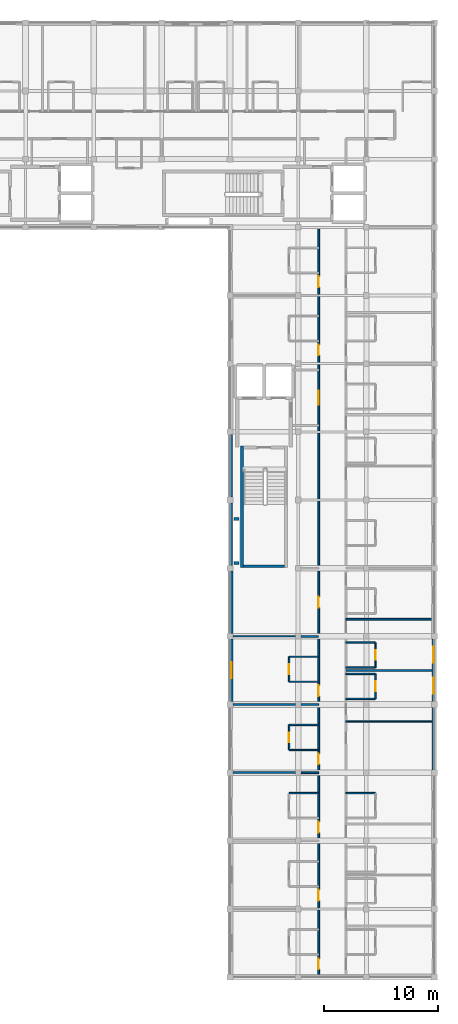
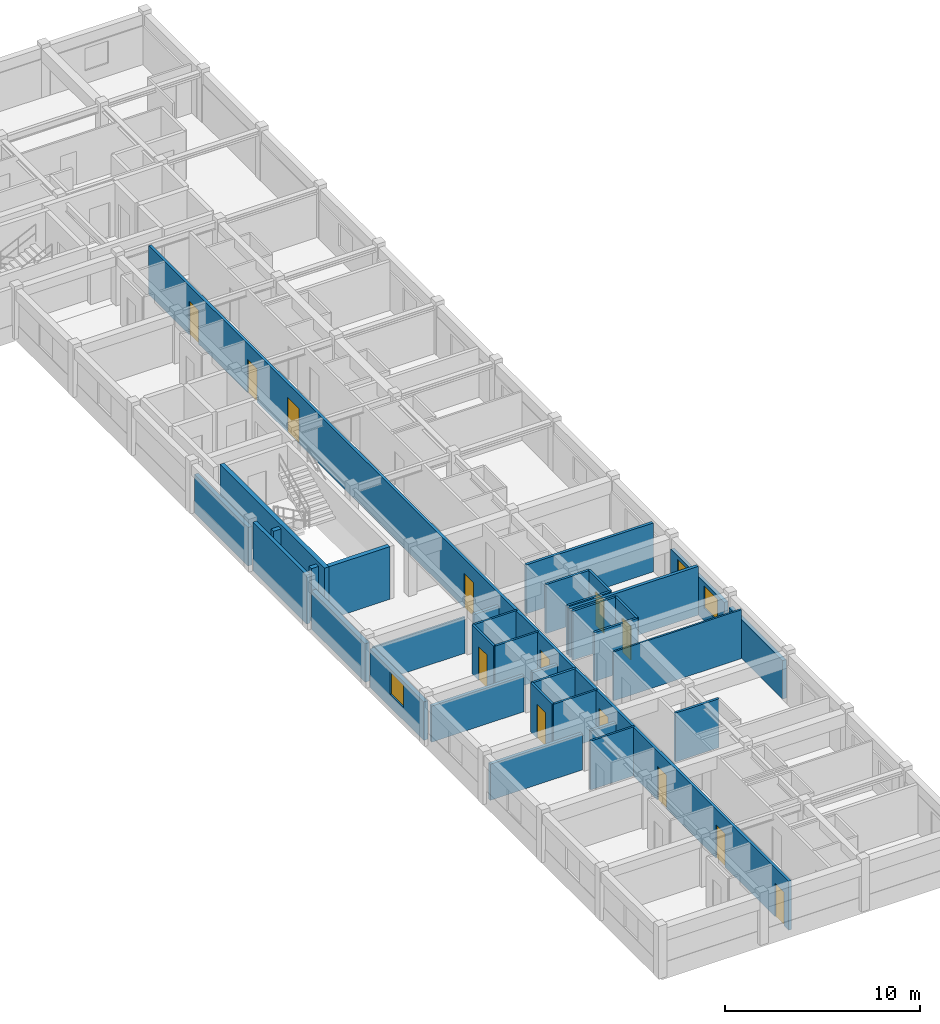
# One storey, part 4 of 15: 34 walls, 13 doors, 3 windows, 16 openings.
"""IFC4 building model written with IfcOpenShell, lengths in metres."""

from ifc_helpers import new_model, si_unit, direction, frame, frame_2d, origin, place, context, subcontext, project, spatial, rectangle, extrude, material, layer, layer_set, type_object, element, fill, save


model = new_model("IFC4")

# Units and contexts
model_context = context("Model", 3, precision=1e-05, world=origin(), true_north=direction((0.0, 1.0)))
body_context = subcontext(model_context, "Body", "Model", "MODEL_VIEW")
ifc_project = project(units=[si_unit("LENGTHUNIT", "METRE"), si_unit("AREAUNIT", "SQUARE_METRE"), si_unit("VOLUMEUNIT", "CUBIC_METRE"), si_unit("PLANEANGLEUNIT", "RADIAN"), si_unit("MASSUNIT", "GRAM", prefix="KILO"), si_unit("THERMODYNAMICTEMPERATUREUNIT", "KELVIN"), si_unit("POWERUNIT", "WATT")], contexts=[model_context])

# Site, building, storey
site_placement = place(None, origin())
site = spatial("IfcSite", under=ifc_project, at=site_placement, CompositionType="ELEMENT")
building_placement = place(site_placement, origin())
building = spatial("IfcBuilding", under=site, at=building_placement, Name="Phaisarnlok Congress Hotel", CompositionType="ELEMENT")
storey_placement = place(building_placement, frame((0.0, 0.0, 38.10009765625)))
storey = spatial("IfcBuildingStorey", under=building, at=storey_placement, Name="L09", CompositionType="ELEMENT", Elevation=38.10009765625)

# Wall, openings, windows
ifc_material_1 = material(Name="Concrete C40/50", Category="concrete")
ifc_layer_1 = layer(ifc_material_1, 0.2099609375, Name="Concrete C40/50")
ifc_layer_set_1 = layer_set([ifc_layer_1], Name="Concrete C40/50")
wall_type_1 = type_object("IfcWallType", Name="WL-EXT-210", PredefinedType="SOLIDWALL", material=ifc_layer_set_1)
wall_1_placement = place(storey_placement, frame((179.89501953125, 66.2548828125, 0.0), z_axis=(0.0, 0.0, 1.0), x_axis=(0.0, 1.0, 0.0)))
wall_1 = element("IfcWall", 1, at=wall_1_placement, inside=storey, type_object=wall_type_1, Name="Exterior wall EW-07 (L09)", PredefinedType="SOLIDWALL", context=body_context, shape_type="SweptSolid", body=[
    extrude(rectangle(XDim=5.490234375, YDim=0.2099609375, at=frame_2d((2.7451171875, 0.0))), origin(), (0.0, 0.0, 1.0), 2.409912109375),
])
opening_1_placement = place(wall_1_placement, frame((0.681884765625, 0.0, 0.800048828125)))
opening_1 = element("IfcOpeningElement", 2, at=opening_1_placement, cuts=wall_1, Name="Opening W-13", PredefinedType="OPENING", context=body_context, shape_type="SweptSolid", body=[
    extrude(rectangle(XDim=1.39990234375, YDim=1.39990234375, at=frame_2d((0.699951171875, 0.699951171875))), frame((0.0, 0.114990234375, 0.0), z_axis=(0.0, -1.0, 0.0), x_axis=(1.0, 0.0, 0.0)), (0.0, 0.0, 1.0), 0.22998046875),
])
opening_2_placement = place(wall_1_placement, frame((3.407958984375, 0.0, 0.800048828125)))
opening_2 = element("IfcOpeningElement", 3, at=opening_2_placement, cuts=wall_1, Name="Opening W-13", PredefinedType="OPENING", context=body_context, shape_type="SweptSolid", body=[
    extrude(rectangle(XDim=1.39990234375, YDim=1.39990234375, at=frame_2d((0.699951171875, 0.699951171875))), frame((0.0, 0.114990234375, 0.0), z_axis=(0.0, -1.0, 0.0), x_axis=(1.0, 0.0, 0.0)), (0.0, 0.0, 1.0), 0.22998046875),
])
ifc_material_2 = material(Name="Thermally Broken Aluminium & Low-E Double Glazing", Category="aluminium")
window_type = type_object("IfcWindowType", Name="WIN-POD-1400", PartitioningType="SINGLE_PANEL", PredefinedType="WINDOW", material=ifc_material_2)
window_1_placement = place(opening_1_placement, origin())
window_1 = element("IfcWindow", 4, at=window_1_placement, inside=storey, type_object=window_type, Name="Guestroom window W-13 (L09)", OverallHeight=1.39990234375, OverallWidth=1.39990234375, PartitioningType="SINGLE_PANEL", PredefinedType="WINDOW", context=body_context, shape_type="SweptSolid", body=[
    extrude(rectangle(XDim=1.39990234375, YDim=1.39990234375, at=frame_2d((0.699951171875, 0.699951171875))), frame((0.0, 0.030029296875, 0.0), z_axis=(0.0, -1.0, 0.0), x_axis=(1.0, 0.0, 0.0)), (0.0, 0.0, 1.0), 0.06005859375),
])
fill(opening_1, window_1)
window_2_placement = place(opening_2_placement, origin())
window_2 = element("IfcWindow", 5, at=window_2_placement, inside=storey, type_object=window_type, Name="Guestroom window W-13 (L09)", OverallHeight=1.39990234375, OverallWidth=1.39990234375, PartitioningType="SINGLE_PANEL", PredefinedType="WINDOW", context=body_context, shape_type="SweptSolid", body=[
    extrude(rectangle(XDim=1.39990234375, YDim=1.39990234375, at=frame_2d((0.699951171875, 0.699951171875))), frame((0.0, 0.030029296875, 0.0), z_axis=(0.0, -1.0, 0.0), x_axis=(1.0, 0.0, 0.0)), (0.0, 0.0, 1.0), 0.06005859375),
])
fill(opening_2, window_2)

# Walls
wall_2_placement = place(storey_placement, frame((162.10498046875, 83.7451171875, 0.0), z_axis=(0.0, 0.0, 1.0), x_axis=(0.0, -1.0, 0.0)))
element("IfcWall", 6, at=wall_2_placement, inside=storey, type_object=wall_type_1, Name="Exterior wall EW-07 (L09)", PredefinedType="SOLIDWALL", context=body_context, shape_type="SweptSolid", body=[
    extrude(rectangle(XDim=5.490234375, YDim=0.2099609375, at=frame_2d((2.7451171875, 0.0))), origin(), (0.0, 0.0, 1.0), 3.059814453125),
])
ifc_layer_2 = layer(ifc_material_1, 0.22998046875, Name="Concrete C40/50")
ifc_layer_set_2 = layer_set([ifc_layer_2], Name="Concrete C40/50")
wall_type_2 = type_object("IfcWallType", Name="WL-EXT-230", PredefinedType="SOLIDWALL", material=ifc_layer_set_2)
for number, where, z_axis, x_axis, name in (
    (7, (179.885009765625, 60.2548828125, 0.0), (0.0, 0.0, 1.0), (0.0, 1.0, 0.0), "Exterior wall EW-06 (L09)"),
    (8, (162.114990234375, 89.7451171875, 0.0), (0.0, 0.0, 1.0), (0.0, -1.0, 0.0), "Exterior wall EW-06 (L09)"),
):
    element("IfcWall", number, at=place(storey_placement, frame(where, z_axis=z_axis, x_axis=x_axis)), inside=storey, type_object=wall_type_2, Name=name, PredefinedType="SOLIDWALL", context=body_context, shape_type="SweptSolid", body=[
        extrude(rectangle(XDim=5.490234375, YDim=0.22998046875, at=frame_2d((2.7451171875, 0.0))), origin(), (0.0, 0.0, 1.0), 2.409912109375),
    ])

# Wall, opening, window
ifc_layer_3 = layer(ifc_material_1, 0.25, Name="Concrete C40/50")
ifc_layer_set_3 = layer_set([ifc_layer_3], Name="Concrete C40/50")
wall_type_3 = type_object("IfcWallType", Name="WL-EXT-250", PredefinedType="SOLIDWALL", material=ifc_layer_set_3)
wall_3_placement = place(storey_placement, frame((162.125, 71.7451171875, 0.0), z_axis=(0.0, 0.0, 1.0), x_axis=(0.0, -1.0, 0.0)))
wall_3 = element("IfcWall", 9, at=wall_3_placement, inside=storey, type_object=wall_type_3, Name="Exterior wall EW-05 (L09)", PredefinedType="SOLIDWALL", context=body_context, shape_type="SweptSolid", body=[
    extrude(rectangle(XDim=5.490234375, YDim=0.25, at=frame_2d((2.7451171875, 0.0))), origin(), (0.0, 0.0, 1.0), 2.409912109375),
])
opening_3_placement = place(wall_3_placement, frame((2.044921875, 0.0, 0.800048828125)))
opening_3 = element("IfcOpeningElement", 10, at=opening_3_placement, cuts=wall_3, Name="Opening W-13", PredefinedType="OPENING", context=body_context, shape_type="SweptSolid", body=[
    extrude(rectangle(XDim=1.39990234375, YDim=1.39990234375, at=frame_2d((0.699951171875, 0.699951171875))), frame((0.0, 0.135009765625, 0.0), z_axis=(0.0, -1.0, 0.0), x_axis=(1.0, 0.0, 0.0)), (0.0, 0.0, 1.0), 0.27001953125),
])
window_3_placement = place(opening_3_placement, origin())
window_3 = element("IfcWindow", 11, at=window_3_placement, inside=storey, type_object=window_type, Name="Guestroom window W-13 (L09)", OverallHeight=1.39990234375, OverallWidth=1.39990234375, PartitioningType="SINGLE_PANEL", PredefinedType="WINDOW", context=body_context, shape_type="SweptSolid", body=[
    extrude(rectangle(XDim=1.39990234375, YDim=1.39990234375, at=frame_2d((0.699951171875, 0.699951171875))), frame((0.0, 0.030029296875, 0.0), z_axis=(0.0, -1.0, 0.0), x_axis=(1.0, 0.0, 0.0)), (0.0, 0.0, 1.0), 0.06005859375),
])
fill(opening_3, window_3)

# Walls
ifc_layer_4 = layer(ifc_material_1, 0.27001953125, Name="Concrete C40/50")
ifc_layer_set_4 = layer_set([ifc_layer_4], Name="Concrete C40/50")
wall_type_4 = type_object("IfcWallType", Name="WL-EXT-270", PredefinedType="SOLIDWALL", material=ifc_layer_set_4)
wall_4_placement = place(storey_placement, frame((162.135009765625, 77.7451171875, 0.0), z_axis=(0.0, 0.0, 1.0), x_axis=(0.0, -1.0, 0.0)))
element("IfcWall", 12, at=wall_4_placement, inside=storey, type_object=wall_type_4, Name="Exterior wall EW-04 (L09)", PredefinedType="SOLIDWALL", context=body_context, shape_type="SweptSolid", body=[
    extrude(rectangle(XDim=5.490234375, YDim=0.27001953125, at=frame_2d((2.7451171875, 0.0))), origin(), (0.0, 0.0, 1.0), 2.409912109375),
])
ifc_material_3 = material(Name="Service Riser Shaftwall Partition", Category="gypsum")
ifc_layer_5 = layer(ifc_material_3, 0.10498046875, Name="Service Riser Shaftwall Partition")
ifc_layer_set_5 = layer_set([ifc_layer_5], Name="Service Riser Shaftwall Partition")
wall_type_5 = type_object("IfcWallType", Name="WL-INT-105", PredefinedType="PARTITIONING", material=ifc_layer_set_5)
wall_5_placement = place(storey_placement, frame((172.199951171875, 64.5, 0.0), z_axis=(0.0, 0.0, 1.0), x_axis=(1.0, 0.0, 0.0)))
element("IfcWall", 13, at=wall_5_placement, inside=storey, type_object=wall_type_5, Name="Interior partition wall IW-08 (L09)", PredefinedType="PARTITIONING", context=body_context, shape_type="SweptSolid", body=[
    extrude(rectangle(XDim=7.56494140625, YDim=0.10498046875, at=frame_2d((3.782470703125, 0.0))), origin(), (0.0, 0.0, 1.0), 3.059814453125),
])
wall_6_placement = place(storey_placement, frame((162.280029296875, 72.0, 0.0), z_axis=(0.0, 0.0, 1.0), x_axis=(1.0, 0.0, 0.0)))
element("IfcWall", 14, at=wall_6_placement, inside=storey, type_object=wall_type_5, Name="Interior partition wall IW-08 (L09)", PredefinedType="PARTITIONING", context=body_context, shape_type="SweptSolid", body=[
    extrude(rectangle(XDim=5.465087890625, YDim=0.10498046875, at=frame_2d((2.732421875, 0.0))), origin(), (0.0, 0.0, 1.0), 2.260009765625),
])

# Wall, opening, door
ifc_material_4 = material(Name="Lightweight Metal-Stud Gypsum Partition", Category="gypsum")
ifc_layer_6 = layer(ifc_material_4, 0.1201171875, Name="Lightweight Metal-Stud Gypsum Partition")
ifc_layer_set_6 = layer_set([ifc_layer_6], Name="Lightweight Metal-Stud Gypsum Partition")
wall_type_6 = type_object("IfcWallType", Name="WL-INT-120", PredefinedType="PARTITIONING", material=ifc_layer_set_6)
wall_7_placement = place(storey_placement, frame((167.199951171875, 62.0, 0.0), z_axis=(0.0, 0.0, 1.0), x_axis=(0.0, 1.0, 0.0)))
wall_7 = element("IfcWall", 15, at=wall_7_placement, inside=storey, type_object=wall_type_6, Name="Interior partition wall IW-07 (L09)", PredefinedType="PARTITIONING", context=body_context, shape_type="SweptSolid", body=[
    extrude(rectangle(XDim=2.199951171875, YDim=0.1201171875, at=frame_2d((1.10009765625, 0.0))), origin(), (0.0, 0.0, 1.0), 3.059814453125),
])
opening_4_placement = place(wall_7_placement, frame((0.675048828125, 0.0, 0.0)))
opening_4 = element("IfcOpeningElement", 16, at=opening_4_placement, cuts=wall_7, Name="Opening D-0547", PredefinedType="OPENING", context=body_context, shape_type="SweptSolid", body=[
    extrude(rectangle(XDim=0.85009765625, YDim=2.10009765625, at=frame_2d((0.425048828125, 1.050048828125))), frame((0.0, 0.070068359375, 0.0), z_axis=(0.0, -1.0, 0.0), x_axis=(1.0, 0.0, 0.0)), (0.0, 0.0, 1.0), 0.14013671875),
])
ifc_material_5 = material(Name="Moisture-Resistant Lacquered Timber", Category="wood")
door_type_1 = type_object("IfcDoorType", Name="DR-BATH-850", OperationType="NOTDEFINED", PredefinedType="DOOR", material=ifc_material_5)
door_1_placement = place(opening_4_placement, origin())
door_1 = element("IfcDoor", 17, at=door_1_placement, inside=storey, type_object=door_type_1, Name="Interior door D-0547 (L09)", OperationType="SINGLE_SWING_RIGHT", OverallHeight=2.10009765625, OverallWidth=0.85009765625, PredefinedType="DOOR", context=body_context, shape_type="SweptSolid", body=[
    extrude(rectangle(XDim=0.85009765625, YDim=2.10009765625, at=frame_2d((0.425048828125, 1.050048828125))), frame((0.0, 0.02490234375, 0.0), z_axis=(0.0, -1.0, 0.0), x_axis=(1.0, 0.0, 0.0)), (0.0, 0.0, 1.0), 0.050048828125),
])
fill(opening_4, door_1)

wall_8_placement = place(storey_placement, frame((174.800048828125, 69.25, 0.0), z_axis=(0.0, 0.0, 1.0), x_axis=(0.0, 1.0, 0.0)))
wall_8 = element("IfcWall", 18, at=wall_8_placement, inside=storey, type_object=wall_type_6, Name="Interior partition wall IW-07 (L09)", PredefinedType="PARTITIONING", context=body_context, shape_type="SweptSolid", body=[
    extrude(rectangle(XDim=2.199951171875, YDim=0.1201171875, at=frame_2d((1.10009765625, 0.0))), origin(), (0.0, 0.0, 1.0), 3.059814453125),
])
opening_5_placement = place(wall_8_placement, frame((0.675048828125, 0.0, 0.0)))
opening_5 = element("IfcOpeningElement", 19, at=opening_5_placement, cuts=wall_8, Name="Opening D-0526", PredefinedType="OPENING", context=body_context, shape_type="SweptSolid", body=[
    extrude(rectangle(XDim=0.85009765625, YDim=2.10009765625, at=frame_2d((0.425048828125, 1.050048828125))), frame((0.0, 0.070068359375, 0.0), z_axis=(0.0, -1.0, 0.0), x_axis=(1.0, 0.0, 0.0)), (0.0, 0.0, 1.0), 0.14013671875),
])
door_2_placement = place(opening_5_placement, origin())
door_2 = element("IfcDoor", 20, at=door_2_placement, inside=storey, type_object=door_type_1, Name="Interior door D-0526 (L09)", OperationType="SINGLE_SWING_LEFT", OverallHeight=2.10009765625, OverallWidth=0.85009765625, PredefinedType="DOOR", context=body_context, shape_type="SweptSolid", body=[
    extrude(rectangle(XDim=0.85009765625, YDim=2.10009765625, at=frame_2d((0.425048828125, 1.050048828125))), frame((0.0, 0.02490234375, 0.0), z_axis=(0.0, -1.0, 0.0), x_axis=(1.0, 0.0, 0.0)), (0.0, 0.0, 1.0), 0.050048828125),
])
fill(opening_5, door_2)

# Walls
for number, where, z_axis, x_axis, name in (
    (21, (167.199951171875, 58.199951171875, 0.0), (0.0, 0.0, 1.0), (1.0, 0.0, 0.0), "Interior partition wall IW-07 (L09)"),
    (22, (167.199951171875, 62.0, 0.0), (0.0, 0.0, 1.0), (1.0, 0.0, 0.0), "Interior partition wall IW-07 (L09)"),
    (23, (167.199951171875, 68.0, 0.0), (0.0, 0.0, 1.0), (1.0, 0.0, 0.0), "Interior partition wall IW-07 (L09)"),
    (24, (167.199951171875, 70.199951171875, 0.0), (0.0, 0.0, 1.0), (1.0, 0.0, 0.0), "Interior partition wall IW-07 (L09)"),
):
    element("IfcWall", number, at=place(storey_placement, frame(where, z_axis=z_axis, x_axis=x_axis)), inside=storey, type_object=wall_type_6, Name=name, PredefinedType="PARTITIONING", context=body_context, shape_type="SweptSolid", body=[
        extrude(rectangle(XDim=2.60009765625, YDim=0.1201171875, at=frame_2d((1.300048828125, 0.0))), origin(), (0.0, 0.0, 1.0), 3.059814453125),
    ])

# Wall, opening, door
ifc_material_6 = material(Name="Moisture-Resistant Gypsum Partition", Category="gypsum")
ifc_layer_7 = layer(ifc_material_6, 0.135009765625, Name="Moisture-Resistant Gypsum Partition")
ifc_layer_set_7 = layer_set([ifc_layer_7], Name="Moisture-Resistant Gypsum Partition")
wall_type_7 = type_object("IfcWallType", Name="WL-INT-135", PredefinedType="PARTITIONING", material=ifc_layer_set_7)
wall_9_placement = place(storey_placement, frame((167.199951171875, 68.0, 0.0), z_axis=(0.0, 0.0, 1.0), x_axis=(0.0, 1.0, 0.0)))
wall_9 = element("IfcWall", 25, at=wall_9_placement, inside=storey, type_object=wall_type_7, Name="Interior partition wall IW-06 (L09)", PredefinedType="PARTITIONING", context=body_context, shape_type="SweptSolid", body=[
    extrude(rectangle(XDim=2.199951171875, YDim=0.135009765625, at=frame_2d((1.10009765625, 0.0))), origin(), (0.0, 0.0, 1.0), 3.059814453125),
])
opening_6_placement = place(wall_9_placement, frame((0.675048828125, 0.0, 0.0)))
opening_6 = element("IfcOpeningElement", 26, at=opening_6_placement, cuts=wall_9, Name="Opening D-0549", PredefinedType="OPENING", context=body_context, shape_type="SweptSolid", body=[
    extrude(rectangle(XDim=0.85009765625, YDim=2.10009765625, at=frame_2d((0.425048828125, 1.050048828125))), frame((0.0, 0.07763671875, 0.0), z_axis=(0.0, -1.0, 0.0), x_axis=(1.0, 0.0, 0.0)), (0.0, 0.0, 1.0), 0.155029296875),
])
door_3_placement = place(opening_6_placement, origin())
door_3 = element("IfcDoor", 27, at=door_3_placement, inside=storey, type_object=door_type_1, Name="Interior door D-0549 (L09)", OperationType="SINGLE_SWING_RIGHT", OverallHeight=2.10009765625, OverallWidth=0.85009765625, PredefinedType="DOOR", context=body_context, shape_type="SweptSolid", body=[
    extrude(rectangle(XDim=0.85009765625, YDim=2.10009765625, at=frame_2d((0.425048828125, 1.050048828125))), frame((0.0, 0.02490234375, 0.0), z_axis=(0.0, -1.0, 0.0), x_axis=(1.0, 0.0, 0.0)), (0.0, 0.0, 1.0), 0.050048828125),
])
fill(opening_6, door_3)

wall_10_placement = place(storey_placement, frame((174.800048828125, 66.5, 0.0), z_axis=(0.0, 0.0, 1.0), x_axis=(0.0, 1.0, 0.0)))
wall_10 = element("IfcWall", 28, at=wall_10_placement, inside=storey, type_object=wall_type_7, Name="Interior partition wall IW-06 (L09)", PredefinedType="PARTITIONING", context=body_context, shape_type="SweptSolid", body=[
    extrude(rectangle(XDim=2.199951171875, YDim=0.135009765625, at=frame_2d((1.10009765625, 0.0))), origin(), (0.0, 0.0, 1.0), 3.059814453125),
])
opening_7_placement = place(wall_10_placement, frame((0.675048828125, 0.0, 0.0)))
opening_7 = element("IfcOpeningElement", 29, at=opening_7_placement, cuts=wall_10, Name="Opening D-0524", PredefinedType="OPENING", context=body_context, shape_type="SweptSolid", body=[
    extrude(rectangle(XDim=0.85009765625, YDim=2.10009765625, at=frame_2d((0.425048828125, 1.050048828125))), frame((0.0, 0.07763671875, 0.0), z_axis=(0.0, -1.0, 0.0), x_axis=(1.0, 0.0, 0.0)), (0.0, 0.0, 1.0), 0.155029296875),
])
door_4_placement = place(opening_7_placement, origin())
door_4 = element("IfcDoor", 30, at=door_4_placement, inside=storey, type_object=door_type_1, Name="Interior door D-0524 (L09)", OperationType="SINGLE_SWING_LEFT", OverallHeight=2.10009765625, OverallWidth=0.85009765625, PredefinedType="DOOR", context=body_context, shape_type="SweptSolid", body=[
    extrude(rectangle(XDim=0.85009765625, YDim=2.10009765625, at=frame_2d((0.425048828125, 1.050048828125))), frame((0.0, 0.02490234375, 0.0), z_axis=(0.0, -1.0, 0.0), x_axis=(1.0, 0.0, 0.0)), (0.0, 0.0, 1.0), 0.050048828125),
])
fill(opening_7, door_4)

# Walls
for number, where, z_axis, x_axis, name in (
    (31, (172.199951171875, 58.199951171875, 0.0), (0.0, 0.0, 1.0), (1.0, 0.0, 0.0), "Interior partition wall IW-06 (L09)"),
    (32, (167.199951171875, 64.199951171875, 0.0), (0.0, 0.0, 1.0), (1.0, 0.0, 0.0), "Interior partition wall IW-06 (L09)"),
    (33, (172.199951171875, 66.5, 0.0), (0.0, 0.0, 1.0), (1.0, 0.0, 0.0), "Interior partition wall IW-06 (L09)"),
    (34, (172.199951171875, 68.699951171875, 0.0), (0.0, 0.0, 1.0), (1.0, 0.0, 0.0), "Interior partition wall IW-06 (L09)"),
    (35, (172.199951171875, 69.25, 0.0), (0.0, 0.0, 1.0), (1.0, 0.0, 0.0), "Interior partition wall IW-06 (L09)"),
    (36, (172.199951171875, 71.449951171875, 0.0), (0.0, 0.0, 1.0), (1.0, 0.0, 0.0), "Interior partition wall IW-06 (L09)"),
):
    element("IfcWall", number, at=place(storey_placement, frame(where, z_axis=z_axis, x_axis=x_axis)), inside=storey, type_object=wall_type_7, Name=name, PredefinedType="PARTITIONING", context=body_context, shape_type="SweptSolid", body=[
        extrude(rectangle(XDim=2.60009765625, YDim=0.135009765625, at=frame_2d((1.300048828125, 0.0))), origin(), (0.0, 0.0, 1.0), 3.059814453125),
    ])

# Wall, openings, doors
ifc_material_7 = material(Name="Double-Stud Acoustic Gypsum Partition", Category="gypsum")
ifc_layer_8 = layer(ifc_material_7, 0.159912109375, Name="Double-Stud Acoustic Gypsum Partition")
ifc_layer_set_8 = layer_set([ifc_layer_8], Name="Double-Stud Acoustic Gypsum Partition")
wall_type_8 = type_object("IfcWallType", Name="WL-INT-160", PredefinedType="PARTITIONING", material=ifc_layer_set_8)
wall_11_placement = place(storey_placement, frame((169.800048828125, 42.215087890625, 0.0), z_axis=(0.0, 0.0, 1.0), x_axis=(0.0, 1.0, 0.0)))
wall_11 = element("IfcWall", 37, at=wall_11_placement, inside=storey, type_object=wall_type_8, Name="Interior partition wall IW-04 (L09)", PredefinedType="PARTITIONING", context=body_context, shape_type="SweptSolid", body=[
    extrude(rectangle(XDim=65.60498046875, YDim=0.159912109375, at=frame_2d((32.802490234375, 0.0))), origin(), (0.0, 0.0, 1.0), 3.059814453125),
])
opening_8_placement = place(wall_11_placement, frame((50.18505859375, 0.0, 0.0)))
opening_8 = element("IfcOpeningElement", 38, at=opening_8_placement, cuts=wall_11, Name="Opening D-0488", PredefinedType="OPENING", context=body_context, shape_type="SweptSolid", body=[
    extrude(rectangle(XDim=1.199951171875, YDim=2.199951171875, at=frame_2d((0.60009765625, 1.10009765625))), frame((0.0, 0.08984375, 0.0), z_axis=(0.0, -1.0, 0.0), x_axis=(1.0, 0.0, 0.0)), (0.0, 0.0, 1.0), 0.179931640625),
])
opening_9_placement = place(wall_11_placement, frame((32.284912109375, 0.0, 0.0)))
opening_9 = element("IfcOpeningElement", 39, at=opening_9_placement, cuts=wall_11, Name="Opening D-0491", PredefinedType="OPENING", context=body_context, shape_type="SweptSolid", body=[
    extrude(rectangle(XDim=1.0, YDim=2.14990234375, at=frame_2d((0.5, 1.074951171875))), frame((0.0, 0.08984375, 0.0), z_axis=(0.0, -1.0, 0.0), x_axis=(1.0, 0.0, 0.0)), (0.0, 0.0, 1.0), 0.179931640625),
])
opening_10_placement = place(wall_11_placement, frame((0.4599609375, 0.0, 0.0)))
opening_10 = element("IfcOpeningElement", 40, at=opening_10_placement, cuts=wall_11, Name="Opening D-0542", PredefinedType="OPENING", context=body_context, shape_type="SweptSolid", body=[
    extrude(rectangle(XDim=0.949951171875, YDim=2.10009765625, at=frame_2d((0.47509765625, 1.050048828125))), frame((0.0, 0.08984375, 0.0), z_axis=(0.0, -1.0, 0.0), x_axis=(1.0, 0.0, 0.0)), (0.0, 0.0, 1.0), 0.179931640625),
])
opening_11_placement = place(wall_11_placement, frame((6.510009765625, 0.0, 0.0)))
opening_11 = element("IfcOpeningElement", 41, at=opening_11_placement, cuts=wall_11, Name="Opening D-0544", PredefinedType="OPENING", context=body_context, shape_type="SweptSolid", body=[
    extrude(rectangle(XDim=0.949951171875, YDim=2.10009765625, at=frame_2d((0.47509765625, 1.050048828125))), frame((0.0, 0.08984375, 0.0), z_axis=(0.0, -1.0, 0.0), x_axis=(1.0, 0.0, 0.0)), (0.0, 0.0, 1.0), 0.179931640625),
])
opening_12_placement = place(wall_11_placement, frame((12.510009765625, 0.0, 0.0)))
opening_12 = element("IfcOpeningElement", 42, at=opening_12_placement, cuts=wall_11, Name="Opening D-0546", PredefinedType="OPENING", context=body_context, shape_type="SweptSolid", body=[
    extrude(rectangle(XDim=0.949951171875, YDim=2.10009765625, at=frame_2d((0.47509765625, 1.050048828125))), frame((0.0, 0.08984375, 0.0), z_axis=(0.0, -1.0, 0.0), x_axis=(1.0, 0.0, 0.0)), (0.0, 0.0, 1.0), 0.179931640625),
])
opening_13_placement = place(wall_11_placement, frame((18.510009765625, 0.0, 0.0)))
opening_13 = element("IfcOpeningElement", 43, at=opening_13_placement, cuts=wall_11, Name="Opening D-0548", PredefinedType="OPENING", context=body_context, shape_type="SweptSolid", body=[
    extrude(rectangle(XDim=0.949951171875, YDim=2.10009765625, at=frame_2d((0.47509765625, 1.050048828125))), frame((0.0, 0.08984375, 0.0), z_axis=(0.0, -1.0, 0.0), x_axis=(1.0, 0.0, 0.0)), (0.0, 0.0, 1.0), 0.179931640625),
])
opening_14_placement = place(wall_11_placement, frame((24.510009765625, 0.0, 0.0)))
opening_14 = element("IfcOpeningElement", 44, at=opening_14_placement, cuts=wall_11, Name="Opening D-0550", PredefinedType="OPENING", context=body_context, shape_type="SweptSolid", body=[
    extrude(rectangle(XDim=0.949951171875, YDim=2.10009765625, at=frame_2d((0.47509765625, 1.050048828125))), frame((0.0, 0.08984375, 0.0), z_axis=(0.0, -1.0, 0.0), x_axis=(1.0, 0.0, 0.0)), (0.0, 0.0, 1.0), 0.179931640625),
])
opening_15_placement = place(wall_11_placement, frame((54.510009765625, 0.0, 0.0)))
opening_15 = element("IfcOpeningElement", 45, at=opening_15_placement, cuts=wall_11, Name="Opening D-0552", PredefinedType="OPENING", context=body_context, shape_type="SweptSolid", body=[
    extrude(rectangle(XDim=0.949951171875, YDim=2.10009765625, at=frame_2d((0.47509765625, 1.050048828125))), frame((0.0, 0.08984375, 0.0), z_axis=(0.0, -1.0, 0.0), x_axis=(1.0, 0.0, 0.0)), (0.0, 0.0, 1.0), 0.179931640625),
])
opening_16_placement = place(wall_11_placement, frame((60.510009765625, 0.0, 0.0)))
opening_16 = element("IfcOpeningElement", 46, at=opening_16_placement, cuts=wall_11, Name="Opening D-0554", PredefinedType="OPENING", context=body_context, shape_type="SweptSolid", body=[
    extrude(rectangle(XDim=0.949951171875, YDim=2.10009765625, at=frame_2d((0.47509765625, 1.050048828125))), frame((0.0, 0.08984375, 0.0), z_axis=(0.0, -1.0, 0.0), x_axis=(1.0, 0.0, 0.0)), (0.0, 0.0, 1.0), 0.179931640625),
])
ifc_material_8 = material(Name="Acoustic Solid-Core Teak Veneer", Category="wood")
door_type_2 = type_object("IfcDoorType", Name="DR-FD30-950", OperationType="NOTDEFINED", PredefinedType="DOOR", material=ifc_material_8)
door_5_placement = place(opening_10_placement, origin())
door_5 = element("IfcDoor", 47, at=door_5_placement, inside=storey, type_object=door_type_2, Name="Interior door D-0542 (L09)", OperationType="SINGLE_SWING_LEFT", OverallHeight=2.10009765625, OverallWidth=0.949951171875, PredefinedType="DOOR", context=body_context, shape_type="SweptSolid", body=[
    extrude(rectangle(XDim=0.949951171875, YDim=2.10009765625, at=frame_2d((0.47509765625, 1.050048828125))), frame((0.0, 0.02490234375, 0.0), z_axis=(0.0, -1.0, 0.0), x_axis=(1.0, 0.0, 0.0)), (0.0, 0.0, 1.0), 0.050048828125),
])
fill(opening_10, door_5)
door_6_placement = place(opening_11_placement, origin())
door_6 = element("IfcDoor", 48, at=door_6_placement, inside=storey, type_object=door_type_2, Name="Interior door D-0544 (L09)", OperationType="SINGLE_SWING_LEFT", OverallHeight=2.10009765625, OverallWidth=0.949951171875, PredefinedType="DOOR", context=body_context, shape_type="SweptSolid", body=[
    extrude(rectangle(XDim=0.949951171875, YDim=2.10009765625, at=frame_2d((0.47509765625, 1.050048828125))), frame((0.0, 0.02490234375, 0.0), z_axis=(0.0, -1.0, 0.0), x_axis=(1.0, 0.0, 0.0)), (0.0, 0.0, 1.0), 0.050048828125),
])
fill(opening_11, door_6)
door_7_placement = place(opening_12_placement, origin())
door_7 = element("IfcDoor", 49, at=door_7_placement, inside=storey, type_object=door_type_2, Name="Interior door D-0546 (L09)", OperationType="SINGLE_SWING_LEFT", OverallHeight=2.10009765625, OverallWidth=0.949951171875, PredefinedType="DOOR", context=body_context, shape_type="SweptSolid", body=[
    extrude(rectangle(XDim=0.949951171875, YDim=2.10009765625, at=frame_2d((0.47509765625, 1.050048828125))), frame((0.0, 0.02490234375, 0.0), z_axis=(0.0, -1.0, 0.0), x_axis=(1.0, 0.0, 0.0)), (0.0, 0.0, 1.0), 0.050048828125),
])
fill(opening_12, door_7)
door_8_placement = place(opening_13_placement, origin())
door_8 = element("IfcDoor", 50, at=door_8_placement, inside=storey, type_object=door_type_2, Name="Interior door D-0548 (L09)", OperationType="SINGLE_SWING_LEFT", OverallHeight=2.10009765625, OverallWidth=0.949951171875, PredefinedType="DOOR", context=body_context, shape_type="SweptSolid", body=[
    extrude(rectangle(XDim=0.949951171875, YDim=2.10009765625, at=frame_2d((0.47509765625, 1.050048828125))), frame((0.0, 0.02490234375, 0.0), z_axis=(0.0, -1.0, 0.0), x_axis=(1.0, 0.0, 0.0)), (0.0, 0.0, 1.0), 0.050048828125),
])
fill(opening_13, door_8)
door_9_placement = place(opening_14_placement, origin())
door_9 = element("IfcDoor", 51, at=door_9_placement, inside=storey, type_object=door_type_2, Name="Interior door D-0550 (L09)", OperationType="SINGLE_SWING_LEFT", OverallHeight=2.10009765625, OverallWidth=0.949951171875, PredefinedType="DOOR", context=body_context, shape_type="SweptSolid", body=[
    extrude(rectangle(XDim=0.949951171875, YDim=2.10009765625, at=frame_2d((0.47509765625, 1.050048828125))), frame((0.0, 0.02490234375, 0.0), z_axis=(0.0, -1.0, 0.0), x_axis=(1.0, 0.0, 0.0)), (0.0, 0.0, 1.0), 0.050048828125),
])
fill(opening_14, door_9)
door_10_placement = place(opening_15_placement, origin())
door_10 = element("IfcDoor", 52, at=door_10_placement, inside=storey, type_object=door_type_2, Name="Interior door D-0552 (L09)", OperationType="SINGLE_SWING_LEFT", OverallHeight=2.10009765625, OverallWidth=0.949951171875, PredefinedType="DOOR", context=body_context, shape_type="SweptSolid", body=[
    extrude(rectangle(XDim=0.949951171875, YDim=2.10009765625, at=frame_2d((0.47509765625, 1.050048828125))), frame((0.0, 0.02490234375, 0.0), z_axis=(0.0, -1.0, 0.0), x_axis=(1.0, 0.0, 0.0)), (0.0, 0.0, 1.0), 0.050048828125),
])
fill(opening_15, door_10)
door_11_placement = place(opening_16_placement, origin())
door_11 = element("IfcDoor", 53, at=door_11_placement, inside=storey, type_object=door_type_2, Name="Interior door D-0554 (L09)", OperationType="SINGLE_SWING_LEFT", OverallHeight=2.10009765625, OverallWidth=0.949951171875, PredefinedType="DOOR", context=body_context, shape_type="SweptSolid", body=[
    extrude(rectangle(XDim=0.949951171875, YDim=2.10009765625, at=frame_2d((0.47509765625, 1.050048828125))), frame((0.0, 0.02490234375, 0.0), z_axis=(0.0, -1.0, 0.0), x_axis=(1.0, 0.0, 0.0)), (0.0, 0.0, 1.0), 0.050048828125),
])
fill(opening_16, door_11)
ifc_material_9 = material(Name="Fire-Rated Steel Frame & Timber Leaf", Category="steel")
door_type_3 = type_object("IfcDoorType", Name="DR-FD60-1200", OperationType="NOTDEFINED", PredefinedType="DOOR", material=ifc_material_9)
door_12_placement = place(opening_8_placement, origin())
door_12 = element("IfcDoor", 54, at=door_12_placement, inside=storey, type_object=door_type_3, Name="Interior door D-0488 (L09)", OperationType="SINGLE_SWING_LEFT", OverallHeight=2.199951171875, OverallWidth=1.199951171875, PredefinedType="DOOR", context=body_context, shape_type="SweptSolid", body=[
    extrude(rectangle(XDim=1.199951171875, YDim=2.199951171875, at=frame_2d((0.60009765625, 1.10009765625))), frame((0.0, 0.02490234375, 0.0), z_axis=(0.0, -1.0, 0.0), x_axis=(1.0, 0.0, 0.0)), (0.0, 0.0, 1.0), 0.050048828125),
])
fill(opening_8, door_12)
ifc_material_10 = material(Name="Solid-Core Oak Veneer", Category="wood")
door_type_4 = type_object("IfcDoorType", Name="DR-INT-1000", OperationType="NOTDEFINED", PredefinedType="DOOR", material=ifc_material_10)
door_13_placement = place(opening_9_placement, origin())
door_13 = element("IfcDoor", 55, at=door_13_placement, inside=storey, type_object=door_type_4, Name="Interior door D-0491 (L09)", OperationType="SINGLE_SWING_RIGHT", OverallHeight=2.14990234375, OverallWidth=1.0, PredefinedType="DOOR", context=body_context, shape_type="SweptSolid", body=[
    extrude(rectangle(XDim=1.0, YDim=2.14990234375, at=frame_2d((0.5, 1.074951171875))), frame((0.0, 0.02490234375, 0.0), z_axis=(0.0, -1.0, 0.0), x_axis=(1.0, 0.0, 0.0)), (0.0, 0.0, 1.0), 0.050048828125),
])
fill(opening_9, door_13)

# Walls
for number, where, z_axis, x_axis, name in (
    (56, (168.2548828125, 60.0, 0.0), (0.0, 0.0, 1.0), (1.0, 0.0, 0.0), "Interior partition wall IW-04 (L09)"),
    (57, (168.2548828125, 66.0, 0.0), (0.0, 0.0, 1.0), (1.0, 0.0, 0.0), "Interior partition wall IW-04 (L09)"),
):
    element("IfcWall", number, at=place(storey_placement, frame(where, z_axis=z_axis, x_axis=x_axis)), inside=storey, type_object=wall_type_8, Name=name, PredefinedType="PARTITIONING", context=body_context, shape_type="SweptSolid", body=[
        extrude(rectangle(XDim=1.545166015625, YDim=0.159912109375, at=frame_2d((0.7724609375, 0.0))), origin(), (0.0, 0.0, 1.0), 2.260009765625),
    ])
wall_12_placement = place(storey_placement, frame((172.199951171875, 73.5, 0.0), z_axis=(0.0, 0.0, 1.0), x_axis=(1.0, 0.0, 0.0)))
element("IfcWall", 58, at=wall_12_placement, inside=storey, type_object=wall_type_8, Name="Interior partition wall IW-04 (L09)", PredefinedType="PARTITIONING", context=body_context, shape_type="SweptSolid", body=[
    extrude(rectangle(XDim=7.525146484375, YDim=0.159912109375, at=frame_2d((3.7626953125, 0.0))), origin(), (0.0, 0.0, 1.0), 3.059814453125),
])
ifc_material_11 = material(Name="Autoclaved Aerated Concrete Block", Category="concrete")
ifc_layer_9 = layer(ifc_material_11, 0.179931640625, Name="Autoclaved Aerated Concrete Block")
ifc_layer_set_9 = layer_set([ifc_layer_9], Name="Autoclaved Aerated Concrete Block")
wall_type_9 = type_object("IfcWallType", Name="WL-INT-180", PredefinedType="PARTITIONING", material=ifc_layer_set_9)
for number, where, z_axis, x_axis, name in (
    (59, (162.280029296875, 60.0, 0.0), (0.0, 0.0, 1.0), (1.0, 0.0, 0.0), "Interior partition wall IW-03 (L09)"),
    (60, (162.280029296875, 66.0, 0.0), (0.0, 0.0, 1.0), (1.0, 0.0, 0.0), "Interior partition wall IW-03 (L09)"),
):
    element("IfcWall", number, at=place(storey_placement, frame(where, z_axis=z_axis, x_axis=x_axis)), inside=storey, type_object=wall_type_9, Name=name, PredefinedType="PARTITIONING", context=body_context, shape_type="SweptSolid", body=[
        extrude(rectangle(XDim=5.465087890625, YDim=0.179931640625, at=frame_2d((2.732421875, 0.0))), origin(), (0.0, 0.0, 1.0), 2.260009765625),
    ])
wall_13_placement = place(storey_placement, frame((172.199951171875, 69.0, 0.0), z_axis=(0.0, 0.0, 1.0), x_axis=(1.0, 0.0, 0.0)))
element("IfcWall", 61, at=wall_13_placement, inside=storey, type_object=wall_type_9, Name="Interior partition wall IW-03 (L09)", PredefinedType="PARTITIONING", context=body_context, shape_type="SweptSolid", body=[
    extrude(rectangle(XDim=7.5849609375, YDim=0.179931640625, at=frame_2d((3.79248046875, 0.0))), origin(), (0.0, 0.0, 1.0), 3.059814453125),
])
wall_14_placement = place(storey_placement, frame((168.2548828125, 72.0, 0.0), z_axis=(0.0, 0.0, 1.0), x_axis=(1.0, 0.0, 0.0)))
element("IfcWall", 62, at=wall_14_placement, inside=storey, type_object=wall_type_9, Name="Interior partition wall IW-03 (L09)", PredefinedType="PARTITIONING", context=body_context, shape_type="SweptSolid", body=[
    extrude(rectangle(XDim=1.545166015625, YDim=0.179931640625, at=frame_2d((0.7724609375, 0.0))), origin(), (0.0, 0.0, 1.0), 2.260009765625),
])
ifc_material_12 = material(Name="Concrete C50/60", Category="concrete")
ifc_layer_10 = layer(ifc_material_12, 0.260009765625, Name="Concrete C50/60")
ifc_layer_set_10 = layer_set([ifc_layer_10], Name="Concrete C50/60")
wall_type_10 = type_object("IfcWallType", Name="WL-SHR-260", PredefinedType="SHEAR", material=ifc_layer_set_10)
wall_15_placement = place(storey_placement, frame((163.070068359375, 78.0400390625, 0.0), z_axis=(0.0, 0.0, 1.0), x_axis=(0.0, 1.0, 0.0)))
element("IfcWall", 63, at=wall_15_placement, inside=storey, type_object=wall_type_10, Name="Stair shaft shear wall SW-04 (CORE-3 L09)", PredefinedType="SHEAR", context=body_context, shape_type="SweptSolid", body=[
    extrude(rectangle(XDim=10.719970703125, YDim=0.260009765625, at=frame_2d((5.35986328125, 0.0))), origin(), (0.0, 0.0, 1.0), 3.2998046875),
])
wall_16_placement = place(storey_placement, frame((163.199951171875, 78.169921875, 0.0), z_axis=(0.0, 0.0, 1.0), x_axis=(1.0, 0.0, 0.0)))
element("IfcWall", 64, at=wall_16_placement, inside=storey, type_object=wall_type_10, Name="Stair shaft shear wall SW-04 (CORE-3 L09)", PredefinedType="SHEAR", context=body_context, shape_type="SweptSolid", body=[
    extrude(rectangle(XDim=3.60009765625, YDim=0.260009765625, at=frame_2d((1.800048828125, 0.0))), origin(), (0.0, 0.0, 1.0), 3.2998046875),
])
for number, where, z_axis, x_axis, name in (
    (65, (162.330078125, 78.469970703125, 0.0), (0.0, 0.0, 1.0), (1.0, 0.0, 0.0), "Service riser shaft wall SW-04 (CORE-3 L09)"),
    (66, (162.330078125, 82.330078125, 0.0), (0.0, 0.0, 1.0), (1.0, 0.0, 0.0), "Service riser shaft wall SW-04 (CORE-3 L09)"),
):
    element("IfcWall", number, at=place(storey_placement, frame(where, z_axis=z_axis, x_axis=x_axis)), inside=storey, type_object=wall_type_10, Name=name, PredefinedType="SHEAR", context=body_context, shape_type="SweptSolid", body=[
        extrude(rectangle(XDim=0.43994140625, YDim=0.260009765625, at=frame_2d((0.219970703125, 0.0))), origin(), (0.0, 0.0, 1.0), 3.2998046875),
    ])

save(model, "model.ifc")
